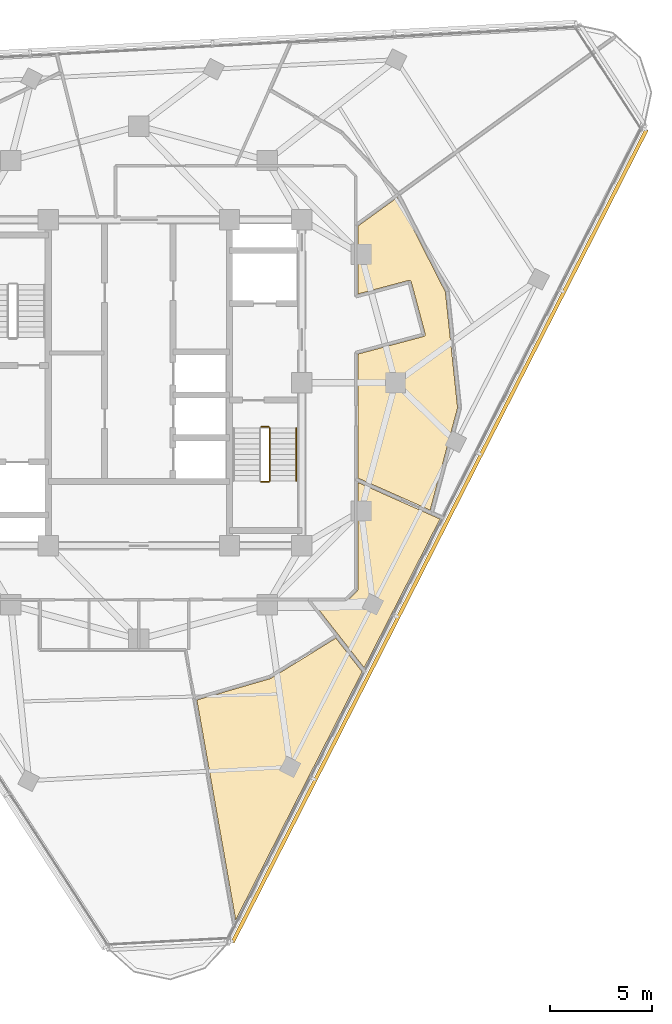
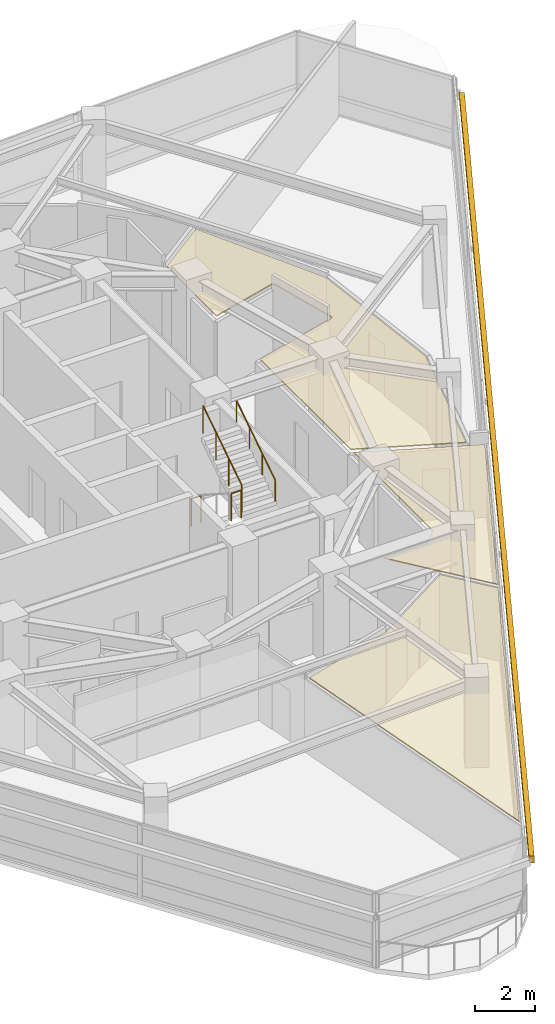
# One storey, part 13 of 15: 4 railings, 3 coverings, 1 shading device.
"""IFC4 building model written with IfcOpenShell, lengths in metres."""

from ifc_helpers import new_model, si_unit, direction, frame, origin, origin_2d, place, context, subcontext, project, spatial, polyline, rectangle, circle, outline, extrude, material, layer, layer_set, type_object, element, save


model = new_model("IFC4")

# Units and contexts
model_context = context("Model", 3, precision=1e-05, world=origin(), true_north=direction((0.0, 1.0)))
body_context = subcontext(model_context, "Body", "Model", "MODEL_VIEW")
ifc_project = project(units=[si_unit("LENGTHUNIT", "METRE"), si_unit("AREAUNIT", "SQUARE_METRE"), si_unit("VOLUMEUNIT", "CUBIC_METRE"), si_unit("PLANEANGLEUNIT", "RADIAN"), si_unit("MASSUNIT", "GRAM", prefix="KILO")], contexts=[model_context])

# Site, building, storey
site_placement = place(None, origin())
site = spatial("IfcSite", under=ifc_project, at=site_placement, CompositionType="ELEMENT")
building_placement = place(site_placement, origin())
building = spatial("IfcBuilding", under=site, at=building_placement, Name="Terralouvre Media Tower", CompositionType="ELEMENT")
storey_placement = place(building_placement, frame((0.0, 0.0, 248.5)))
storey = spatial("IfcBuildingStorey", under=building, at=storey_placement, Name="L64", CompositionType="ELEMENT", Elevation=248.5)

# Coverings
ifc_material_1 = material(Name="Perforated aluminium acoustic ceiling baffle", Category="aluminium")
ifc_layer_1 = layer(ifc_material_1, 0.0400390625, Name="Perforated Acoustic Metal Tile Ceiling CL-AC1")
ifc_layer_set_1 = layer_set([ifc_layer_1], Name="Perforated aluminium acoustic ceiling baffle")
covering_type = type_object("IfcCoveringType", Name="Perforated Acoustic Metal Tile Ceiling CL-AC1", PredefinedType="CEILING", material=ifc_layer_set_1)
covering_1_placement = place(storey_placement, frame((0.0, 0.0, 2.97998046875), z_axis=(0.0, 0.0, 1.0), x_axis=(0.45399049974, 0.891006524188, 0.0)))
element("IfcCovering", 1, at=covering_1_placement, inside=storey, type_object=covering_type, Name="L64 Classical and Jazz Listening Library 2 Acoustic Ceiling", PredefinedType="CEILING", context=body_context, shape_type="SweptSolid", body=[
    extrude(outline(polyline([(6.007080078125, -14.503173828125), (10.805419921875, -11.386962890625), (13.86474609375, -7.1767578125), (11.7294921875, -6.08837890625), (8.760986328125, -7.60107421875), (10.49365234375, -9.525146484375), (10.5, -9.532958984375), (10.50537109375, -9.541015625), (10.510009765625, -9.5498046875), (10.513671875, -9.558837890625), (10.5166015625, -9.568115234375), (10.518310546875, -9.577880859375), (10.519287109375, -9.587646484375), (10.519287109375, -9.597412109375), (10.518310546875, -9.607177734375), (10.516357421875, -9.61669921875), (10.513427734375, -9.626220703125), (10.509765625, -9.63525390625), (10.5048828125, -9.643798828125), (10.49951171875, -9.652099609375), (10.4931640625, -9.65966796875), (10.486328125, -9.66650390625), (8.516357421875, -11.439208984375), (8.5087890625, -11.4453125), (8.50048828125, -11.45068359375), (8.491943359375, -11.455322265625), (8.482666015625, -11.458984375), (8.473388671875, -11.4619140625), (8.463623046875, -11.463623046875), (8.453857421875, -11.464599609375), (8.444091796875, -11.464599609375), (8.434326171875, -11.463623046875), (8.4248046875, -11.461669921875), (8.415283203125, -11.458740234375), (8.406494140625, -11.455078125), (8.397705078125, -11.450439453125), (8.3896484375, -11.44482421875), (8.382080078125, -11.4384765625), (8.375, -11.431640625), (6.132568359375, -8.9404296875), (0.713134765625, -11.70166015625), (0.91650390625, -15.585205078125), (6.007080078125, -14.503173828125)])), origin(), (0.0, 0.0, 1.0), 0.0400390625),
])
covering_2_placement = place(storey_placement, frame((0.0, 0.0, 2.97998046875), z_axis=(0.0, 0.0, 1.0), x_axis=(0.45399049974, 0.891006524188, 0.0)))
element("IfcCovering", 2, at=covering_2_placement, inside=storey, type_object=covering_type, Name="L64 Cultural Quarterly Editorial Office 4 Acoustic Ceiling", PredefinedType="CEILING", context=body_context, shape_type="SweptSolid", body=[
    extrude(outline(polyline([(-9.995361328125, -12.364013671875), (-10.0029296875, -12.35888671875), (-10.009765625, -12.353271484375), (-10.016357421875, -12.346923828125), (-12.58935546875, -9.612060546875), (-21.3486328125, -16.212890625), (-7.670166015625, -16.212158203125), (-6.784912109375, -14.312744140625), (-9.995361328125, -12.364013671875)])), origin(), (0.0, 0.0, 1.0), 0.0400390625),
])
covering_3_placement = place(storey_placement, frame((0.0, 0.0, 2.97998046875), z_axis=(0.0, 0.0, 1.0), x_axis=(0.45399049974, 0.891006524188, 0.0)))
element("IfcCovering", 3, at=covering_3_placement, inside=storey, type_object=covering_type, Name="L64 Literary Salon Lounge 6 Acoustic Ceiling", PredefinedType="CEILING", context=body_context, shape_type="SweptSolid", body=[
    extrude(outline(polyline([(0.722900390625, -15.712646484375), (0.51806640625, -11.801025390625), (-4.163330078125, -14.186279296875), (-4.17236328125, -14.1904296875), (-4.181640625, -14.193603515625), (-4.191162109375, -14.195556640625), (-4.200927734375, -14.197021484375), (-4.210693359375, -14.197265625), (-4.220458984375, -14.196533203125), (-4.230224609375, -14.19482421875), (-4.239501953125, -14.1923828125), (-4.912109375, -13.973876953125), (-4.92138671875, -13.97021484375), (-4.929931640625, -13.966064453125), (-4.9384765625, -13.960693359375), (-4.946044921875, -13.954833984375), (-4.953369140625, -13.947998046875), (-4.959716796875, -13.940673828125), (-4.96533203125, -13.9326171875), (-4.97021484375, -13.924072265625), (-5.70751953125, -12.47705078125), (-6.565673828125, -14.31591796875), (-7.449462890625, -16.212158203125), (0.74951171875, -16.212890625), (0.722900390625, -15.712890625), (0.722900390625, -15.712646484375)])), origin(), (0.0, 0.0, 1.0), 0.0400390625),
])

# Railings
ifc_material_2 = material(Name="Stainless steel 316 handrail and balustrade", Category="steel")
ifc_layer_2 = layer(ifc_material_2, 0.050048828125, Name="Stair Flight Wall Handrail HR-INT1")
ifc_layer_set_2 = layer_set([ifc_layer_2], Name="Stainless steel 316 handrail and balustrade")
railing_type_1 = type_object("IfcRailingType", Name="Stair Flight Wall Handrail HR-INT1", PredefinedType="HANDRAIL", material=ifc_layer_set_2)
railing_1_placement = place(storey_placement, frame((7.72998046875, -4.820068359375, 2.01806640625)))
element("IfcRailing", 4, at=railing_1_placement, inside=storey, type_object=railing_type_1, Name="L64 ST-02 stair handrail 2", PredefinedType="HANDRAIL", context=body_context, shape_type="SweptSolid", body=[
    extrude(circle(Radius=0.02392578125, at=origin_2d()), frame((0.0, 0.0, 0.8759765625), z_axis=(0.0, 0.839648411786, 0.543130320075), x_axis=(-1.0, 0.0, 0.0)), (0.0, 0.0, 1.0), 3.0966796875),
    extrude(circle(Radius=0.02099609375, at=origin_2d()), origin(), (0.0, 0.0, 1.0), 0.851806640625),
    extrude(circle(Radius=0.02099609375, at=origin_2d()), frame((0.0, 0.86669921875, 0.560546875)), (0.0, 0.0, 1.0), 0.851806640625),
    extrude(circle(Radius=0.02099609375, at=origin_2d()), frame((0.0, 1.7333984375, 1.121337890625)), (0.0, 0.0, 1.0), 0.851806640625),
    extrude(circle(Radius=0.02099609375, at=origin_2d()), frame((0.0, 2.60009765625, 1.681884765625)), (0.0, 0.0, 1.0), 0.851806640625),
])
ifc_material_3 = material(Name="Stainless steel 316 handrail and balustrade", Category="steel")
ifc_layer_3 = layer(ifc_material_3, 0.050048828125, Name="Stairwell Safety Guardrail GR-INT1")
ifc_layer_set_3 = layer_set([ifc_layer_3], Name="Stainless steel 316 handrail and balustrade")
railing_type_2 = type_object("IfcRailingType", Name="Stairwell Safety Guardrail GR-INT1", PredefinedType="GUARDRAIL", material=ifc_layer_set_3)
railing_2_placement = place(storey_placement, frame((6.0, -4.8701171875, 1.85009765625)))
element("IfcRailing", 5, at=railing_2_placement, inside=storey, type_object=railing_type_2, Name="L64 ST-02 stair guard 2", PredefinedType="GUARDRAIL", context=body_context, shape_type="SweptSolid", body=[
    extrude(circle(Radius=0.02392578125, at=origin_2d()), frame((0.0, 0.0, 1.1259765625), z_axis=(1.0, 0.0, 0.0), x_axis=(0.0, 1.0, 0.0)), (0.0, 0.0, 1.0), 0.3798828125),
    extrude(circle(Radius=0.02099609375, at=origin_2d()), origin(), (0.0, 0.0, 1.0), 1.101806640625),
    extrude(circle(Radius=0.02099609375, at=origin_2d()), frame((0.3798828125, 0.0, 0.0)), (0.0, 0.0, 1.0), 1.101806640625),
])
railing_3_placement = place(storey_placement, frame((6.429931640625, -4.820068359375, 2.01806640625)))
element("IfcRailing", 6, at=railing_3_placement, inside=storey, type_object=railing_type_2, Name="L64 ST-02 stair guard 3", PredefinedType="GUARDRAIL", context=body_context, shape_type="SweptSolid", body=[
    extrude(circle(Radius=0.02392578125, at=origin_2d()), frame((0.0, 0.0, 1.1259765625), z_axis=(0.0, 0.839648411786, 0.543130320075), x_axis=(-1.0, 0.0, 0.0)), (0.0, 0.0, 1.0), 3.0966796875),
    extrude(circle(Radius=0.02099609375, at=origin_2d()), origin(), (0.0, 0.0, 1.0), 1.101806640625),
    extrude(circle(Radius=0.02099609375, at=origin_2d()), frame((0.0, 0.86669921875, 0.560546875)), (0.0, 0.0, 1.0), 1.101806640625),
    extrude(circle(Radius=0.02099609375, at=origin_2d()), frame((0.0, 1.7333984375, 1.121337890625)), (0.0, 0.0, 1.0), 1.101806640625),
    extrude(circle(Radius=0.02099609375, at=origin_2d()), frame((0.0, 2.60009765625, 1.681884765625)), (0.0, 0.0, 1.0), 1.101806640625),
])
railing_4_placement = place(storey_placement, frame((6.0, -2.169921875, 0.0)))
element("IfcRailing", 7, at=railing_4_placement, inside=storey, type_object=railing_type_2, Name="L64 ST-02 stair guard 4", PredefinedType="GUARDRAIL", context=body_context, shape_type="SweptSolid", body=[
    extrude(circle(Radius=0.02392578125, at=origin_2d()), frame((0.0, 0.0, 1.1259765625), z_axis=(1.0, 0.0, 0.0), x_axis=(0.0, 1.0, 0.0)), (0.0, 0.0, 1.0), 0.3798828125),
    extrude(circle(Radius=0.02099609375, at=origin_2d()), origin(), (0.0, 0.0, 1.0), 1.101806640625),
    extrude(circle(Radius=0.02099609375, at=origin_2d()), frame((0.3798828125, 0.0, 0.0)), (0.0, 0.0, 1.0), 1.101806640625),
])

# Shading device
ifc_material_4 = material(Name="Extruded terracotta baguette sunshade louvres", Category="masonry")
shading_device_type = type_object("IfcShadingDeviceType", Name="Terracotta Baguette Sunshade Louvre Screen TB-LV1", PredefinedType="USERDEFINED", material=ifc_material_4)
shading_device_placement = place(storey_placement, frame((14.766357421875, -7.52392578125, 2.02392578125), z_axis=(0.0, 0.0, 1.0), x_axis=(0.45399044259, 0.891006553308, 0.0)))
element("IfcShadingDevice", 8, at=shading_device_placement, inside=storey, type_object=shading_device_type, Name="CW-L64-F0 Terracotta Baguette Sunshade Louvre", ObjectType="BAGUETTE", PredefinedType="USERDEFINED", context=body_context, shape_type="SweptSolid", body=[
    extrude(rectangle(XDim=44.800048828125, YDim=0.179931640625, at=origin_2d()), origin(), (0.0, 0.0, 1.0), 0.280029296875),
])

save(model, "model.ifc")
